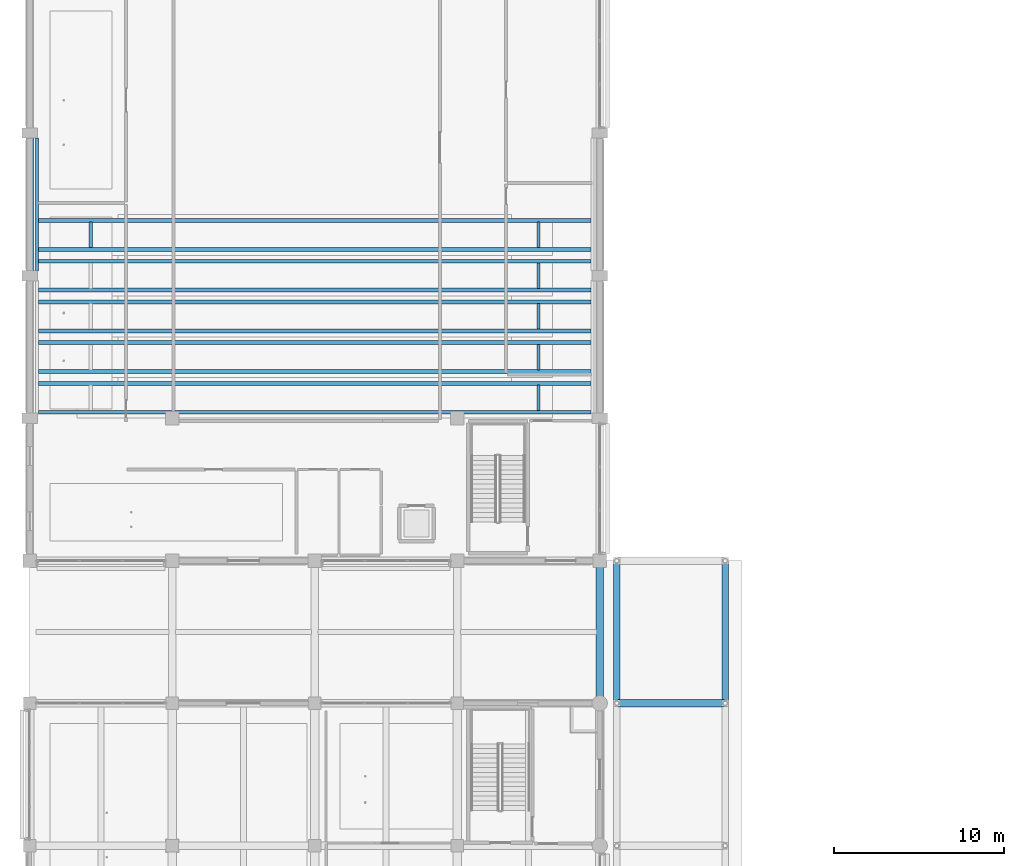
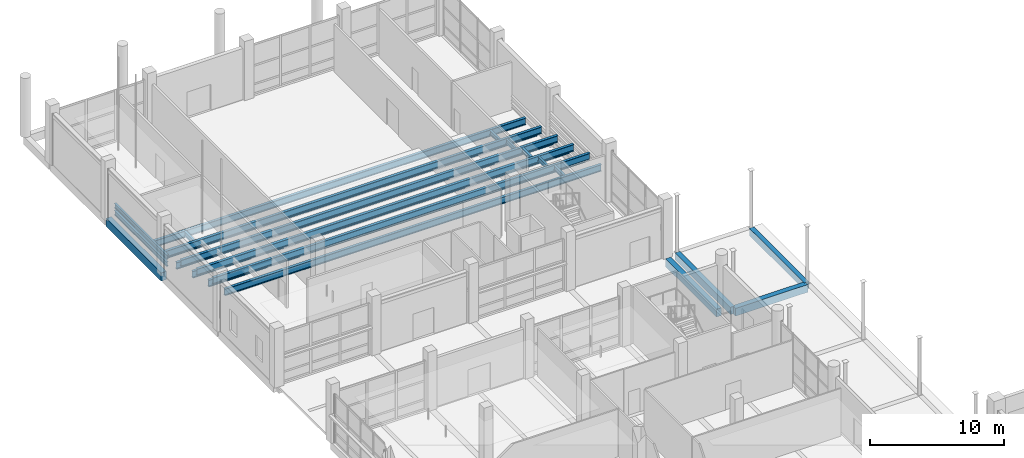
# One storey, part 37 of 140: 23 beams.
"""IFC4 building model written with IfcOpenShell, lengths in metres."""

from ifc_helpers import new_model, si_unit, direction, frame, origin, origin_2d, place, context, subcontext, project, spatial, rectangle, i_section, extrude, material, material_profile, profile_set, type_object, element, save


model = new_model("IFC4")

# Units and contexts
model_context = context("Model", 3, precision=1e-05, world=origin(), true_north=direction((0.0, 1.0)))
body_context = subcontext(model_context, "Body", "Model", "MODEL_VIEW")
ifc_project = project(units=[si_unit("LENGTHUNIT", "METRE"), si_unit("AREAUNIT", "SQUARE_METRE"), si_unit("VOLUMEUNIT", "CUBIC_METRE"), si_unit("PLANEANGLEUNIT", "RADIAN"), si_unit("MASSUNIT", "GRAM", prefix="KILO")], contexts=[model_context])

# Site, building, storey
site_placement = place(None, origin())
site = spatial("IfcSite", under=ifc_project, at=site_placement, CompositionType="ELEMENT")
building_placement = place(site_placement, origin())
building = spatial("IfcBuilding", under=site, at=building_placement, Name="Telukmera Botanical Conservatory", CompositionType="ELEMENT")
storey_placement = place(building_placement, origin())
storey = spatial("IfcBuildingStorey", under=building, at=storey_placement, Name="L00", CompositionType="ELEMENT", Elevation=0.0)

# Beams
ifc_material_1 = material(Name="Concrete C40/50", Category="concrete")
ifc_material_profile_1 = material_profile(ifc_material_1, rectangle(XDim=0.449951171875, YDim=0.699951171875, at=origin_2d()), Name="RC 450x700")
ifc_profile_set_1 = profile_set([ifc_material_profile_1], Name="Concrete C40/50")
beam_type_1 = type_object("IfcBeamType", Name="Beam_B15", PredefinedType="BEAM", material=ifc_profile_set_1)
beam_1_placement = place(storey_placement, frame((43.080078125, 74.800048828125, -0.35009765625), z_axis=(1.0, 0.0, 0.0), x_axis=(0.0, 1.0, 0.0)))
element("IfcBeam", 1, at=beam_1_placement, inside=storey, type_object=beam_type_1, Name="West Arcade Deck Transverse Beam L00", PredefinedType="BEAM", context=body_context, shape_type="SweptSolid", body=[
    extrude(rectangle(XDim=0.449951171875, YDim=0.699951171875, at=origin_2d()), origin(), (0.0, 0.0, 1.0), 6.239990234375),
])
beam_2_placement = place(storey_placement, frame((42.0, 75.179931640625, -0.35009765625), z_axis=(0.0, 1.0, 0.0), x_axis=(-1.0, 0.0, 0.0)))
element("IfcBeam", 2, at=beam_2_placement, inside=storey, type_object=beam_type_1, Name="Monsoon Court Deck Transverse Beam L00", PredefinedType="BEAM", context=body_context, shape_type="SweptSolid", body=[
    extrude(rectangle(XDim=0.449951171875, YDim=0.699951171875, at=origin_2d()), origin(), (0.0, 0.0, 1.0), 7.64013671875),
])
ifc_material_profile_2 = material_profile(ifc_material_1, rectangle(XDim=0.449951171875, YDim=0.75, at=origin_2d()), Name="RC 450x750")
ifc_profile_set_2 = profile_set([ifc_material_profile_2], Name="Concrete C40/50")
beam_type_2 = type_object("IfcBeamType", Name="Beam_B6", PredefinedType="BEAM", material=ifc_profile_set_2)
beam_3_placement = place(storey_placement, frame((8.39990234375, 100.080078125, -0.375), z_axis=(0.0, 1.0, 0.0), x_axis=(-1.0, 0.0, 0.0)))
element("IfcBeam", 3, at=beam_3_placement, inside=storey, type_object=beam_type_2, Name="Auditorium Frame Beam beam:V2:L00:gy:84:1000", PredefinedType="BEAM", context=body_context, shape_type="SweptSolid", body=[
    extrude(rectangle(XDim=0.449951171875, YDim=0.75, at=origin_2d()), origin(), (0.0, 0.0, 1.0), 8.239990234375),
])
ifc_material_profile_3 = material_profile(ifc_material_1, rectangle(XDim=0.39990234375, YDim=0.64990234375, at=origin_2d()), Name="RC 400x650")
ifc_profile_set_3 = profile_set([ifc_material_profile_3], Name="Concrete C40/50")
beam_type_3 = type_object("IfcBeamType", Name="Beam_B8", PredefinedType="BEAM", material=ifc_profile_set_3)
for number, where, z_axis, x_axis, name in (
    (4, (43.0, 74.8798828125, -0.324951171875), (0.0, 1.0, 0.0), (-1.0, 0.0, 0.0), "West Arcade Deck Girder L00"),
    (5, (49.39990234375, 74.8798828125, -0.324951171875), (0.0, 1.0, 0.0), (-1.0, 0.0, 0.0), "West Arcade Deck Girder L00"),
):
    element("IfcBeam", number, at=place(storey_placement, frame(where, z_axis=z_axis, x_axis=x_axis)), inside=storey, type_object=beam_type_3, Name=name, PredefinedType="BEAM", context=body_context, shape_type="SweptSolid", body=[
        extrude(rectangle(XDim=0.39990234375, YDim=0.64990234375, at=origin_2d()), origin(), (0.0, 0.0, 1.0), 8.240234375),
    ])
ifc_material_2 = material(Name="Steel S355", Category="steel")
ifc_material_profile_4 = material_profile(ifc_material_2, i_section(OverallWidth=0.230224609375, OverallDepth=0.6171875, WebThickness=0.01318359375, FlangeThickness=0.022216796875, FilletRadius=0.0126953125, at=origin_2d()), Name="UB 610x229x140")
ifc_profile_set_4 = profile_set([ifc_material_profile_4], Name="Steel S355")
beam_type_4 = type_object("IfcBeamType", Name="Beam_SB1", PredefinedType="BEAM", material=ifc_profile_set_4)
for number, where, z_axis, x_axis, name in (
    (6, (8.929931640625, 91.949951171875, 2.94140625), (1.0, 0.0, 0.0), (0.0, 1.0, 0.0), "Auditorium Seating Tier Long-Span Steel Beam 1-F"),
    (7, (8.929931640625, 93.64990234375, 2.94140625), (1.0, 0.0, 0.0), (0.0, 1.0, 0.0), "Auditorium Seating Tier Long-Span Steel Beam 1-B"),
    (8, (8.929931640625, 94.35009765625, 2.29150390625), (1.0, 0.0, 0.0), (0.0, 1.0, 0.0), "Auditorium Seating Tier Long-Span Steel Beam 2-F"),
    (9, (8.929931640625, 96.050048828125, 2.29150390625), (1.0, 0.0, 0.0), (0.0, 1.0, 0.0), "Auditorium Seating Tier Long-Span Steel Beam 2-B"),
    (10, (8.929931640625, 96.75, 1.641357421875), (1.0, 0.0, 0.0), (0.0, 1.0, 0.0), "Auditorium Seating Tier Long-Span Steel Beam 3-F"),
    (11, (8.929931640625, 98.449951171875, 1.641357421875), (1.0, 0.0, 0.0), (0.0, 1.0, 0.0), "Auditorium Seating Tier Long-Span Steel Beam 3-B"),
    (12, (8.929931640625, 99.14990234375, 0.991455078125), (1.0, 0.0, 0.0), (0.0, 1.0, 0.0), "Auditorium Seating Tier Long-Span Steel Beam 4-F"),
    (13, (8.929931640625, 100.85009765625, 0.991455078125), (1.0, 0.0, 0.0), (0.0, 1.0, 0.0), "Auditorium Seating Tier Long-Span Steel Beam 4-B"),
    (14, (8.929931640625, 101.550048828125, 0.34130859375), (1.0, 0.0, 0.0), (0.0, 1.0, 0.0), "Auditorium Seating Tier Long-Span Steel Beam 5-F"),
    (15, (8.929931640625, 103.25, 0.34130859375), (1.0, 0.0, 0.0), (0.0, 1.0, 0.0), "Auditorium Seating Tier Long-Span Steel Beam 5-B"),
):
    element("IfcBeam", number, at=place(storey_placement, frame(where, z_axis=z_axis, x_axis=x_axis)), inside=storey, type_object=beam_type_4, Name=name, PredefinedType="BEAM", context=body_context, shape_type="SweptSolid", body=[
        extrude(i_section(OverallWidth=0.230224609375, OverallDepth=0.6171875, WebThickness=0.01318359375, FlangeThickness=0.022216796875, FilletRadius=0.0126953125, at=origin_2d()), origin(), (0.0, 0.0, 1.0), 32.5400390625),
    ])
ifc_material_profile_5 = material_profile(ifc_material_2, i_section(OverallWidth=0.1787109375, OverallDepth=0.409423828125, WebThickness=0.0087890625, FlangeThickness=0.014404296875, FilletRadius=0.01025390625, at=origin_2d()), Name="UB 406x178x67")
ifc_profile_set_5 = profile_set([ifc_material_profile_5], Name="Steel S355")
beam_type_5 = type_object("IfcBeamType", Name="Beam_SB4", PredefinedType="BEAM", material=ifc_profile_set_5)
for number, where, z_axis, x_axis, name in (
    (16, (38.39990234375, 92.050048828125, 3.04541015625), (0.0, 1.0, 0.0), (-1.0, 0.0, 0.0), "Auditorium Seating Tier Cross Trimmer 1-E"),
    (17, (38.39990234375, 94.449951171875, 2.395263671875), (0.0, 1.0, 0.0), (-1.0, 0.0, 0.0), "Auditorium Seating Tier Cross Trimmer 2-E"),
    (18, (38.39990234375, 96.85009765625, 1.745361328125), (0.0, 1.0, 0.0), (-1.0, 0.0, 0.0), "Auditorium Seating Tier Cross Trimmer 3-E"),
):
    element("IfcBeam", number, at=place(storey_placement, frame(where, z_axis=z_axis, x_axis=x_axis)), inside=storey, type_object=beam_type_5, Name=name, PredefinedType="BEAM", context=body_context, shape_type="SweptSolid", body=[
        extrude(i_section(OverallWidth=0.1787109375, OverallDepth=0.409423828125, WebThickness=0.0087890625, FlangeThickness=0.014404296875, FilletRadius=0.01025390625, at=origin_2d()), origin(), (0.0, 0.0, 1.0), 1.5),
    ])
beam_4_placement = place(storey_placement, frame((8.840087890625, 100.280029296875, 1.09521484375), z_axis=(0.0, 1.0, 0.0), x_axis=(-1.0, 0.0, 0.0)))
element("IfcBeam", 19, at=beam_4_placement, inside=storey, type_object=beam_type_5, Name="Auditorium Tier Perimeter Stringer 4-B", PredefinedType="BEAM", context=body_context, shape_type="SweptSolid", body=[
    extrude(i_section(OverallWidth=0.1787109375, OverallDepth=0.409423828125, WebThickness=0.0087890625, FlangeThickness=0.014404296875, FilletRadius=0.01025390625, at=origin_2d()), origin(), (0.0, 0.0, 1.0), 7.840087890625),
])
beam_5_placement = place(storey_placement, frame((38.39990234375, 99.25, 1.09521484375), z_axis=(0.0, 1.0, 0.0), x_axis=(-1.0, 0.0, 0.0)))
element("IfcBeam", 20, at=beam_5_placement, inside=storey, type_object=beam_type_5, Name="Auditorium Seating Tier Cross Trimmer 4-E", PredefinedType="BEAM", context=body_context, shape_type="SweptSolid", body=[
    extrude(i_section(OverallWidth=0.1787109375, OverallDepth=0.409423828125, WebThickness=0.0087890625, FlangeThickness=0.014404296875, FilletRadius=0.01025390625, at=origin_2d()), origin(), (0.0, 0.0, 1.0), 1.5),
])
beam_6_placement = place(storey_placement, frame((8.840087890625, 100.280029296875, 0.4453125), z_axis=(0.0, 1.0, 0.0), x_axis=(-1.0, 0.0, 0.0)))
element("IfcBeam", 21, at=beam_6_placement, inside=storey, type_object=beam_type_5, Name="Auditorium Tier Perimeter Stringer 5-B", PredefinedType="BEAM", context=body_context, shape_type="SweptSolid", body=[
    extrude(i_section(OverallWidth=0.1787109375, OverallDepth=0.409423828125, WebThickness=0.0087890625, FlangeThickness=0.014404296875, FilletRadius=0.01025390625, at=origin_2d()), origin(), (0.0, 0.0, 1.0), 7.840087890625),
])
for number, where, z_axis, x_axis, name in (
    (22, (12.0, 101.64990234375, 0.4453125), (0.0, 1.0, 0.0), (-1.0, 0.0, 0.0), "Auditorium Seating Tier Cross Trimmer 5-W"),
    (23, (38.39990234375, 101.64990234375, 0.4453125), (0.0, 1.0, 0.0), (-1.0, 0.0, 0.0), "Auditorium Seating Tier Cross Trimmer 5-E"),
):
    element("IfcBeam", number, at=place(storey_placement, frame(where, z_axis=z_axis, x_axis=x_axis)), inside=storey, type_object=beam_type_5, Name=name, PredefinedType="BEAM", context=body_context, shape_type="SweptSolid", body=[
        extrude(i_section(OverallWidth=0.1787109375, OverallDepth=0.409423828125, WebThickness=0.0087890625, FlangeThickness=0.014404296875, FilletRadius=0.01025390625, at=origin_2d()), origin(), (0.0, 0.0, 1.0), 1.5),
    ])

save(model, "model.ifc")
